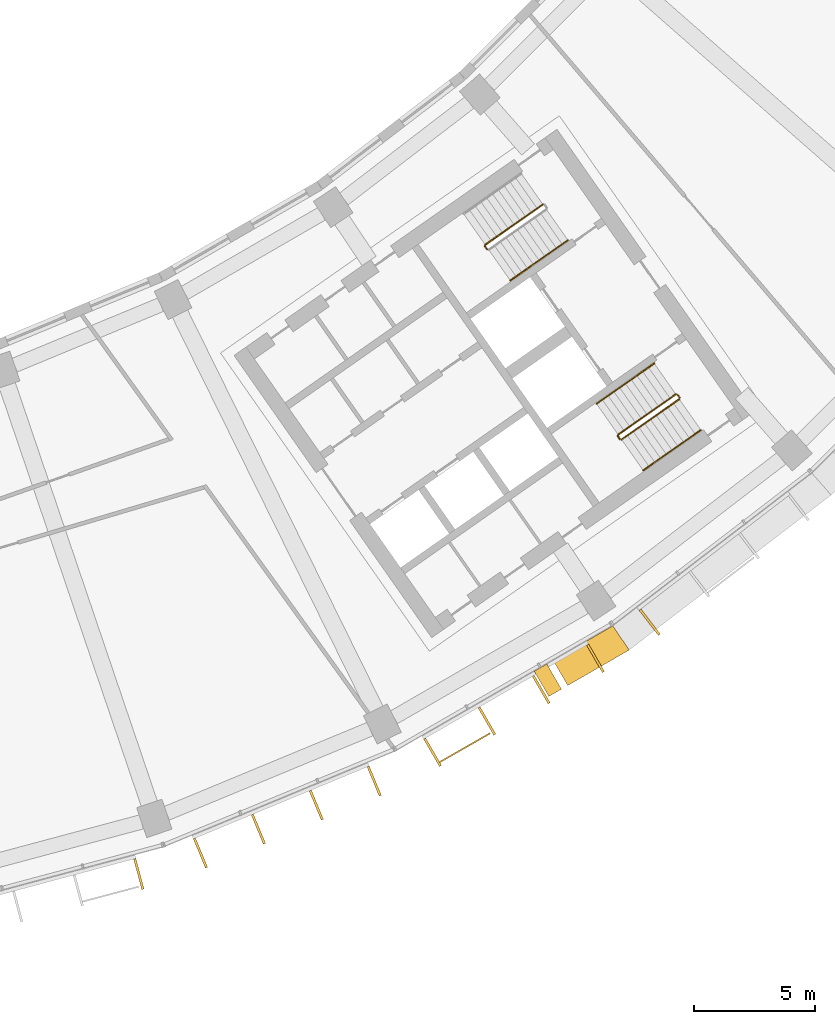
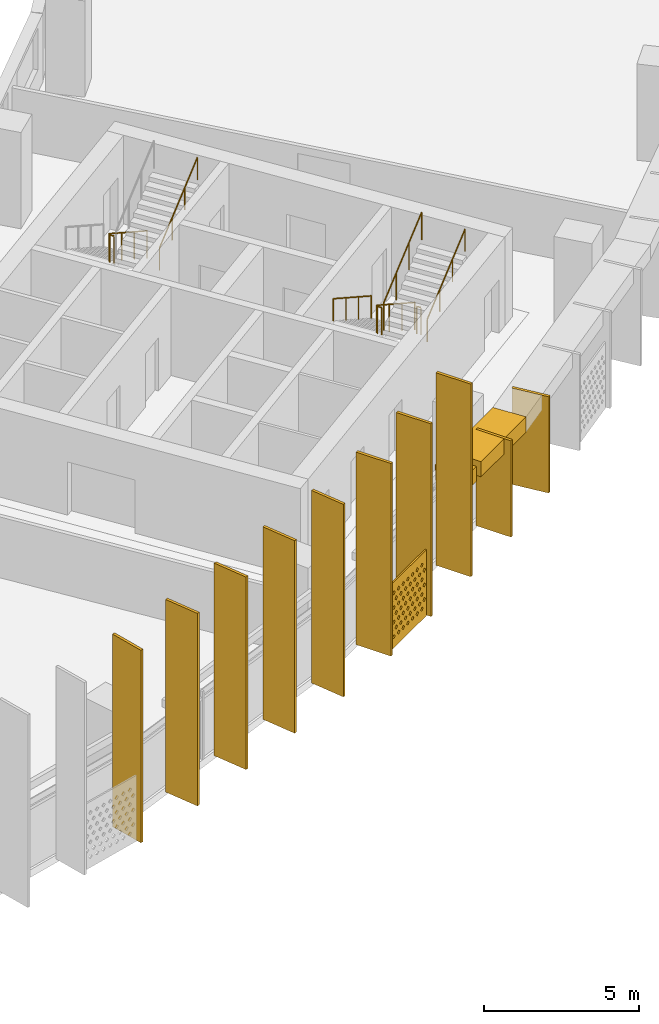
# One storey, part 25 of 27: 13 shading devices, 7 railings.
"""IFC4 building model written with IfcOpenShell, lengths in metres."""

from ifc_helpers import new_model, si_unit, direction, frame, origin, origin_2d, place, context, subcontext, project, spatial, polyline, rectangle, circle, outline, extrude, material, material_profile, profile_set, type_object, element, save


model = new_model("IFC4")

# Units and contexts
model_context = context("Model", 3, precision=1e-05, world=origin(), true_north=direction((0.0, 1.0)))
body_context = subcontext(model_context, "Body", "Model", "MODEL_VIEW")
ifc_project = project(units=[si_unit("LENGTHUNIT", "METRE"), si_unit("AREAUNIT", "SQUARE_METRE"), si_unit("VOLUMEUNIT", "CUBIC_METRE"), si_unit("PLANEANGLEUNIT", "RADIAN"), si_unit("MASSUNIT", "GRAM", prefix="KILO")], contexts=[model_context])

# Site, building, storey
site_placement = place(None, origin())
site = spatial("IfcSite", under=ifc_project, at=site_placement, CompositionType="ELEMENT")
building_placement = place(site_placement, origin())
building = spatial("IfcBuilding", under=site, at=building_placement, Name="Qamariyya Broadcast Tower", CompositionType="ELEMENT")
storey_placement = place(building_placement, frame((0.0, 0.0, 172.10009765625)))
storey = spatial("IfcBuildingStorey", under=building, at=storey_placement, Name="L40", CompositionType="ELEMENT", Elevation=172.10009765625)

# Shading devices
ifc_material_1 = material(Name="Steel S355 powder coated deep red", Category="steel")
shading_device_type_1 = type_object("IfcShadingDeviceType", Name="Deep red frame, powder coated steel box section", PredefinedType="USERDEFINED", material=ifc_material_1)
shading_device_1_placement = place(storey_placement, frame((0.0, 0.0, 3.199951171875)))
element("IfcShadingDevice", 1, at=shading_device_1_placement, inside=storey, type_object=shading_device_type_1, Name="e-frm-B3-F5-posta-L40", ObjectType="FRAME", PredefinedType="USERDEFINED", context=body_context, shape_type="SweptSolid", body=[
    extrude(outline(polyline([(40.647216796875, -67.558349609375), (41.2470703125, -68.59765625), (41.766845703125, -68.297607421875), (41.166748046875, -67.25830078125), (40.647216796875, -67.558349609375)])), origin(), (0.0, 0.0, 1.0), 0.599853515625),
])
shading_device_2_placement = place(storey_placement, frame((0.0, 0.0, 3.199951171875)))
element("IfcShadingDevice", 2, at=shading_device_2_placement, inside=storey, type_object=shading_device_type_1, Name="e-frm-B3-F5-bot0", ObjectType="FRAME", PredefinedType="USERDEFINED", context=body_context, shape_type="SweptSolid", body=[
    extrude(outline(polyline([(41.426513671875, -67.1083984375), (42.026611328125, -68.147705078125), (44.55810546875, -66.68603515625), (43.89013671875, -65.68603515625), (41.426513671875, -67.1083984375)])), origin(), (0.0, 0.0, 1.0), 0.599853515625),
])
ifc_material_2 = material(Name="Perforated glazed terracotta", Category="masonry")
ifc_material_profile_1 = material_profile(ifc_material_2, outline(polyline([(-1.199951171875, -1.300048828125), (1.199951171875, -1.300048828125), (1.199951171875, 1.300048828125), (-1.199951171875, 1.300048828125), (-1.199951171875, -1.300048828125)]), holes=[polyline([(-0.81494140625, -0.86669921875), (-0.89990234375, -0.78173828125), (-0.985107421875, -0.86669921875), (-0.89990234375, -0.95166015625), (-0.81494140625, -0.86669921875)]), polyline([(-0.514892578125, -0.86669921875), (-0.60009765625, -0.78173828125), (-0.68505859375, -0.86669921875), (-0.60009765625, -0.95166015625), (-0.514892578125, -0.86669921875)]), polyline([(-0.215087890625, -0.86669921875), (-0.300048828125, -0.78173828125), (-0.385009765625, -0.86669921875), (-0.300048828125, -0.95166015625), (-0.215087890625, -0.86669921875)]), polyline([(0.0849609375, -0.86669921875), (0.0, -0.78173828125), (-0.0849609375, -0.86669921875), (0.0, -0.95166015625), (0.0849609375, -0.86669921875)]), polyline([(0.385009765625, -0.86669921875), (0.300048828125, -0.78173828125), (0.215087890625, -0.86669921875), (0.300048828125, -0.95166015625), (0.385009765625, -0.86669921875)]), polyline([(0.68505859375, -0.86669921875), (0.60009765625, -0.78173828125), (0.514892578125, -0.86669921875), (0.60009765625, -0.95166015625), (0.68505859375, -0.86669921875)]), polyline([(0.985107421875, -0.86669921875), (0.89990234375, -0.78173828125), (0.81494140625, -0.86669921875), (0.89990234375, -0.95166015625), (0.985107421875, -0.86669921875)]), polyline([(-0.965087890625, -0.577880859375), (-1.050048828125, -0.49267578125), (-1.135009765625, -0.577880859375), (-1.050048828125, -0.662841796875), (-0.965087890625, -0.577880859375)]), polyline([(-0.6650390625, -0.577880859375), (-0.75, -0.49267578125), (-0.8349609375, -0.577880859375), (-0.75, -0.662841796875), (-0.6650390625, -0.577880859375)]), polyline([(-0.364990234375, -0.577880859375), (-0.449951171875, -0.49267578125), (-0.534912109375, -0.577880859375), (-0.449951171875, -0.662841796875), (-0.364990234375, -0.577880859375)]), polyline([(-0.06494140625, -0.577880859375), (-0.14990234375, -0.49267578125), (-0.235107421875, -0.577880859375), (-0.14990234375, -0.662841796875), (-0.06494140625, -0.577880859375)]), polyline([(0.235107421875, -0.577880859375), (0.14990234375, -0.49267578125), (0.06494140625, -0.577880859375), (0.14990234375, -0.662841796875), (0.235107421875, -0.577880859375)]), polyline([(0.534912109375, -0.577880859375), (0.449951171875, -0.49267578125), (0.364990234375, -0.577880859375), (0.449951171875, -0.662841796875), (0.534912109375, -0.577880859375)]), polyline([(0.8349609375, -0.577880859375), (0.75, -0.49267578125), (0.6650390625, -0.577880859375), (0.75, -0.662841796875), (0.8349609375, -0.577880859375)]), polyline([(1.135009765625, -0.577880859375), (1.050048828125, -0.49267578125), (0.965087890625, -0.577880859375), (1.050048828125, -0.662841796875), (1.135009765625, -0.577880859375)]), polyline([(-0.81494140625, -0.288818359375), (-0.89990234375, -0.203857421875), (-0.985107421875, -0.288818359375), (-0.89990234375, -0.373779296875), (-0.81494140625, -0.288818359375)]), polyline([(-0.514892578125, -0.288818359375), (-0.60009765625, -0.203857421875), (-0.68505859375, -0.288818359375), (-0.60009765625, -0.373779296875), (-0.514892578125, -0.288818359375)]), polyline([(-0.215087890625, -0.288818359375), (-0.300048828125, -0.203857421875), (-0.385009765625, -0.288818359375), (-0.300048828125, -0.373779296875), (-0.215087890625, -0.288818359375)]), polyline([(0.0849609375, -0.288818359375), (0.0, -0.203857421875), (-0.0849609375, -0.288818359375), (0.0, -0.373779296875), (0.0849609375, -0.288818359375)]), polyline([(0.385009765625, -0.288818359375), (0.300048828125, -0.203857421875), (0.215087890625, -0.288818359375), (0.300048828125, -0.373779296875), (0.385009765625, -0.288818359375)]), polyline([(0.68505859375, -0.288818359375), (0.60009765625, -0.203857421875), (0.514892578125, -0.288818359375), (0.60009765625, -0.373779296875), (0.68505859375, -0.288818359375)]), polyline([(0.985107421875, -0.288818359375), (0.89990234375, -0.203857421875), (0.81494140625, -0.288818359375), (0.89990234375, -0.373779296875), (0.985107421875, -0.288818359375)]), polyline([(-0.965087890625, 0.0), (-1.050048828125, 0.0849609375), (-1.135009765625, 0.0), (-1.050048828125, -0.0849609375), (-0.965087890625, 0.0)]), polyline([(-0.6650390625, 0.0), (-0.75, 0.0849609375), (-0.8349609375, 0.0), (-0.75, -0.0849609375), (-0.6650390625, 0.0)]), polyline([(-0.364990234375, 0.0), (-0.449951171875, 0.0849609375), (-0.534912109375, 0.0), (-0.449951171875, -0.0849609375), (-0.364990234375, 0.0)]), polyline([(-0.06494140625, 0.0), (-0.14990234375, 0.0849609375), (-0.235107421875, 0.0), (-0.14990234375, -0.0849609375), (-0.06494140625, 0.0)]), polyline([(0.235107421875, 0.0), (0.14990234375, 0.0849609375), (0.06494140625, 0.0), (0.14990234375, -0.0849609375), (0.235107421875, 0.0)]), polyline([(0.534912109375, 0.0), (0.449951171875, 0.0849609375), (0.364990234375, 0.0), (0.449951171875, -0.0849609375), (0.534912109375, 0.0)]), polyline([(0.8349609375, 0.0), (0.75, 0.0849609375), (0.6650390625, 0.0), (0.75, -0.0849609375), (0.8349609375, 0.0)]), polyline([(1.135009765625, 0.0), (1.050048828125, 0.0849609375), (0.965087890625, 0.0), (1.050048828125, -0.0849609375), (1.135009765625, 0.0)]), polyline([(-0.81494140625, 0.288818359375), (-0.89990234375, 0.373779296875), (-0.985107421875, 0.288818359375), (-0.89990234375, 0.203857421875), (-0.81494140625, 0.288818359375)]), polyline([(-0.514892578125, 0.288818359375), (-0.60009765625, 0.373779296875), (-0.68505859375, 0.288818359375), (-0.60009765625, 0.203857421875), (-0.514892578125, 0.288818359375)]), polyline([(-0.215087890625, 0.288818359375), (-0.300048828125, 0.373779296875), (-0.385009765625, 0.288818359375), (-0.300048828125, 0.203857421875), (-0.215087890625, 0.288818359375)]), polyline([(0.0849609375, 0.288818359375), (0.0, 0.373779296875), (-0.0849609375, 0.288818359375), (0.0, 0.203857421875), (0.0849609375, 0.288818359375)]), polyline([(0.385009765625, 0.288818359375), (0.300048828125, 0.373779296875), (0.215087890625, 0.288818359375), (0.300048828125, 0.203857421875), (0.385009765625, 0.288818359375)]), polyline([(0.68505859375, 0.288818359375), (0.60009765625, 0.373779296875), (0.514892578125, 0.288818359375), (0.60009765625, 0.203857421875), (0.68505859375, 0.288818359375)]), polyline([(0.985107421875, 0.288818359375), (0.89990234375, 0.373779296875), (0.81494140625, 0.288818359375), (0.89990234375, 0.203857421875), (0.985107421875, 0.288818359375)]), polyline([(-0.965087890625, 0.577880859375), (-1.050048828125, 0.662841796875), (-1.135009765625, 0.577880859375), (-1.050048828125, 0.49267578125), (-0.965087890625, 0.577880859375)]), polyline([(-0.6650390625, 0.577880859375), (-0.75, 0.662841796875), (-0.8349609375, 0.577880859375), (-0.75, 0.49267578125), (-0.6650390625, 0.577880859375)]), polyline([(-0.364990234375, 0.577880859375), (-0.449951171875, 0.662841796875), (-0.534912109375, 0.577880859375), (-0.449951171875, 0.49267578125), (-0.364990234375, 0.577880859375)]), polyline([(-0.06494140625, 0.577880859375), (-0.14990234375, 0.662841796875), (-0.235107421875, 0.577880859375), (-0.14990234375, 0.49267578125), (-0.06494140625, 0.577880859375)]), polyline([(0.235107421875, 0.577880859375), (0.14990234375, 0.662841796875), (0.06494140625, 0.577880859375), (0.14990234375, 0.49267578125), (0.235107421875, 0.577880859375)]), polyline([(0.534912109375, 0.577880859375), (0.449951171875, 0.662841796875), (0.364990234375, 0.577880859375), (0.449951171875, 0.49267578125), (0.534912109375, 0.577880859375)]), polyline([(0.8349609375, 0.577880859375), (0.75, 0.662841796875), (0.6650390625, 0.577880859375), (0.75, 0.49267578125), (0.8349609375, 0.577880859375)]), polyline([(1.135009765625, 0.577880859375), (1.050048828125, 0.662841796875), (0.965087890625, 0.577880859375), (1.050048828125, 0.49267578125), (1.135009765625, 0.577880859375)]), polyline([(-0.81494140625, 0.86669921875), (-0.89990234375, 0.95166015625), (-0.985107421875, 0.86669921875), (-0.89990234375, 0.78173828125), (-0.81494140625, 0.86669921875)]), polyline([(-0.514892578125, 0.86669921875), (-0.60009765625, 0.95166015625), (-0.68505859375, 0.86669921875), (-0.60009765625, 0.78173828125), (-0.514892578125, 0.86669921875)]), polyline([(-0.215087890625, 0.86669921875), (-0.300048828125, 0.95166015625), (-0.385009765625, 0.86669921875), (-0.300048828125, 0.78173828125), (-0.215087890625, 0.86669921875)]), polyline([(0.0849609375, 0.86669921875), (0.0, 0.95166015625), (-0.0849609375, 0.86669921875), (0.0, 0.78173828125), (0.0849609375, 0.86669921875)]), polyline([(0.385009765625, 0.86669921875), (0.300048828125, 0.95166015625), (0.215087890625, 0.86669921875), (0.300048828125, 0.78173828125), (0.385009765625, 0.86669921875)]), polyline([(0.68505859375, 0.86669921875), (0.60009765625, 0.95166015625), (0.514892578125, 0.86669921875), (0.60009765625, 0.78173828125), (0.68505859375, 0.86669921875)]), polyline([(0.985107421875, 0.86669921875), (0.89990234375, 0.95166015625), (0.81494140625, 0.86669921875), (0.89990234375, 0.78173828125), (0.985107421875, 0.86669921875)])]))
ifc_profile_set_1 = profile_set([ifc_material_profile_1], Name="Perforated glazed terracotta")
shading_device_type_2 = type_object("IfcShadingDeviceType", Name="Perforated terracotta screen 2400 x 2600", PredefinedType="USERDEFINED", material=ifc_profile_set_1)
shading_device_3_placement = place(storey_placement, frame((37.777099609375, -70.681884765625, 1.349853515625), z_axis=(0.497016140981, -0.86774129532, 0.0), x_axis=(0.86774129532, 0.497016140981, 0.0)))
element("IfcShadingDevice", 3, at=shading_device_3_placement, inside=storey, type_object=shading_device_type_2, Name="e-scr-L40-11-0", ObjectType="SCREEN", PredefinedType="USERDEFINED", context=body_context, shape_type="SweptSolid", body=[
    extrude(outline(polyline([(-1.199951171875, -1.300048828125), (1.199951171875, -1.300048828125), (1.199951171875, 1.300048828125), (-1.199951171875, 1.300048828125), (-1.199951171875, -1.300048828125)]), holes=[polyline([(-0.81494140625, -0.86669921875), (-0.89990234375, -0.78173828125), (-0.985107421875, -0.86669921875), (-0.89990234375, -0.95166015625), (-0.81494140625, -0.86669921875)]), polyline([(-0.514892578125, -0.86669921875), (-0.60009765625, -0.78173828125), (-0.68505859375, -0.86669921875), (-0.60009765625, -0.95166015625), (-0.514892578125, -0.86669921875)]), polyline([(-0.215087890625, -0.86669921875), (-0.300048828125, -0.78173828125), (-0.385009765625, -0.86669921875), (-0.300048828125, -0.95166015625), (-0.215087890625, -0.86669921875)]), polyline([(0.0849609375, -0.86669921875), (0.0, -0.78173828125), (-0.0849609375, -0.86669921875), (0.0, -0.95166015625), (0.0849609375, -0.86669921875)]), polyline([(0.385009765625, -0.86669921875), (0.300048828125, -0.78173828125), (0.215087890625, -0.86669921875), (0.300048828125, -0.95166015625), (0.385009765625, -0.86669921875)]), polyline([(0.68505859375, -0.86669921875), (0.60009765625, -0.78173828125), (0.514892578125, -0.86669921875), (0.60009765625, -0.95166015625), (0.68505859375, -0.86669921875)]), polyline([(0.985107421875, -0.86669921875), (0.89990234375, -0.78173828125), (0.81494140625, -0.86669921875), (0.89990234375, -0.95166015625), (0.985107421875, -0.86669921875)]), polyline([(-0.965087890625, -0.577880859375), (-1.050048828125, -0.49267578125), (-1.135009765625, -0.577880859375), (-1.050048828125, -0.662841796875), (-0.965087890625, -0.577880859375)]), polyline([(-0.6650390625, -0.577880859375), (-0.75, -0.49267578125), (-0.8349609375, -0.577880859375), (-0.75, -0.662841796875), (-0.6650390625, -0.577880859375)]), polyline([(-0.364990234375, -0.577880859375), (-0.449951171875, -0.49267578125), (-0.534912109375, -0.577880859375), (-0.449951171875, -0.662841796875), (-0.364990234375, -0.577880859375)]), polyline([(-0.06494140625, -0.577880859375), (-0.14990234375, -0.49267578125), (-0.235107421875, -0.577880859375), (-0.14990234375, -0.662841796875), (-0.06494140625, -0.577880859375)]), polyline([(0.235107421875, -0.577880859375), (0.14990234375, -0.49267578125), (0.06494140625, -0.577880859375), (0.14990234375, -0.662841796875), (0.235107421875, -0.577880859375)]), polyline([(0.534912109375, -0.577880859375), (0.449951171875, -0.49267578125), (0.364990234375, -0.577880859375), (0.449951171875, -0.662841796875), (0.534912109375, -0.577880859375)]), polyline([(0.8349609375, -0.577880859375), (0.75, -0.49267578125), (0.6650390625, -0.577880859375), (0.75, -0.662841796875), (0.8349609375, -0.577880859375)]), polyline([(1.135009765625, -0.577880859375), (1.050048828125, -0.49267578125), (0.965087890625, -0.577880859375), (1.050048828125, -0.662841796875), (1.135009765625, -0.577880859375)]), polyline([(-0.81494140625, -0.288818359375), (-0.89990234375, -0.203857421875), (-0.985107421875, -0.288818359375), (-0.89990234375, -0.373779296875), (-0.81494140625, -0.288818359375)]), polyline([(-0.514892578125, -0.288818359375), (-0.60009765625, -0.203857421875), (-0.68505859375, -0.288818359375), (-0.60009765625, -0.373779296875), (-0.514892578125, -0.288818359375)]), polyline([(-0.215087890625, -0.288818359375), (-0.300048828125, -0.203857421875), (-0.385009765625, -0.288818359375), (-0.300048828125, -0.373779296875), (-0.215087890625, -0.288818359375)]), polyline([(0.0849609375, -0.288818359375), (0.0, -0.203857421875), (-0.0849609375, -0.288818359375), (0.0, -0.373779296875), (0.0849609375, -0.288818359375)]), polyline([(0.385009765625, -0.288818359375), (0.300048828125, -0.203857421875), (0.215087890625, -0.288818359375), (0.300048828125, -0.373779296875), (0.385009765625, -0.288818359375)]), polyline([(0.68505859375, -0.288818359375), (0.60009765625, -0.203857421875), (0.514892578125, -0.288818359375), (0.60009765625, -0.373779296875), (0.68505859375, -0.288818359375)]), polyline([(0.985107421875, -0.288818359375), (0.89990234375, -0.203857421875), (0.81494140625, -0.288818359375), (0.89990234375, -0.373779296875), (0.985107421875, -0.288818359375)]), polyline([(-0.965087890625, 0.0), (-1.050048828125, 0.0849609375), (-1.135009765625, 0.0), (-1.050048828125, -0.0849609375), (-0.965087890625, 0.0)]), polyline([(-0.6650390625, 0.0), (-0.75, 0.0849609375), (-0.8349609375, 0.0), (-0.75, -0.0849609375), (-0.6650390625, 0.0)]), polyline([(-0.364990234375, 0.0), (-0.449951171875, 0.0849609375), (-0.534912109375, 0.0), (-0.449951171875, -0.0849609375), (-0.364990234375, 0.0)]), polyline([(-0.06494140625, 0.0), (-0.14990234375, 0.0849609375), (-0.235107421875, 0.0), (-0.14990234375, -0.0849609375), (-0.06494140625, 0.0)]), polyline([(0.235107421875, 0.0), (0.14990234375, 0.0849609375), (0.06494140625, 0.0), (0.14990234375, -0.0849609375), (0.235107421875, 0.0)]), polyline([(0.534912109375, 0.0), (0.449951171875, 0.0849609375), (0.364990234375, 0.0), (0.449951171875, -0.0849609375), (0.534912109375, 0.0)]), polyline([(0.8349609375, 0.0), (0.75, 0.0849609375), (0.6650390625, 0.0), (0.75, -0.0849609375), (0.8349609375, 0.0)]), polyline([(1.135009765625, 0.0), (1.050048828125, 0.0849609375), (0.965087890625, 0.0), (1.050048828125, -0.0849609375), (1.135009765625, 0.0)]), polyline([(-0.81494140625, 0.288818359375), (-0.89990234375, 0.373779296875), (-0.985107421875, 0.288818359375), (-0.89990234375, 0.203857421875), (-0.81494140625, 0.288818359375)]), polyline([(-0.514892578125, 0.288818359375), (-0.60009765625, 0.373779296875), (-0.68505859375, 0.288818359375), (-0.60009765625, 0.203857421875), (-0.514892578125, 0.288818359375)]), polyline([(-0.215087890625, 0.288818359375), (-0.300048828125, 0.373779296875), (-0.385009765625, 0.288818359375), (-0.300048828125, 0.203857421875), (-0.215087890625, 0.288818359375)]), polyline([(0.0849609375, 0.288818359375), (0.0, 0.373779296875), (-0.0849609375, 0.288818359375), (0.0, 0.203857421875), (0.0849609375, 0.288818359375)]), polyline([(0.385009765625, 0.288818359375), (0.300048828125, 0.373779296875), (0.215087890625, 0.288818359375), (0.300048828125, 0.203857421875), (0.385009765625, 0.288818359375)]), polyline([(0.68505859375, 0.288818359375), (0.60009765625, 0.373779296875), (0.514892578125, 0.288818359375), (0.60009765625, 0.203857421875), (0.68505859375, 0.288818359375)]), polyline([(0.985107421875, 0.288818359375), (0.89990234375, 0.373779296875), (0.81494140625, 0.288818359375), (0.89990234375, 0.203857421875), (0.985107421875, 0.288818359375)]), polyline([(-0.965087890625, 0.577880859375), (-1.050048828125, 0.662841796875), (-1.135009765625, 0.577880859375), (-1.050048828125, 0.49267578125), (-0.965087890625, 0.577880859375)]), polyline([(-0.6650390625, 0.577880859375), (-0.75, 0.662841796875), (-0.8349609375, 0.577880859375), (-0.75, 0.49267578125), (-0.6650390625, 0.577880859375)]), polyline([(-0.364990234375, 0.577880859375), (-0.449951171875, 0.662841796875), (-0.534912109375, 0.577880859375), (-0.449951171875, 0.49267578125), (-0.364990234375, 0.577880859375)]), polyline([(-0.06494140625, 0.577880859375), (-0.14990234375, 0.662841796875), (-0.235107421875, 0.577880859375), (-0.14990234375, 0.49267578125), (-0.06494140625, 0.577880859375)]), polyline([(0.235107421875, 0.577880859375), (0.14990234375, 0.662841796875), (0.06494140625, 0.577880859375), (0.14990234375, 0.49267578125), (0.235107421875, 0.577880859375)]), polyline([(0.534912109375, 0.577880859375), (0.449951171875, 0.662841796875), (0.364990234375, 0.577880859375), (0.449951171875, 0.49267578125), (0.534912109375, 0.577880859375)]), polyline([(0.8349609375, 0.577880859375), (0.75, 0.662841796875), (0.6650390625, 0.577880859375), (0.75, 0.49267578125), (0.8349609375, 0.577880859375)]), polyline([(1.135009765625, 0.577880859375), (1.050048828125, 0.662841796875), (0.965087890625, 0.577880859375), (1.050048828125, 0.49267578125), (1.135009765625, 0.577880859375)]), polyline([(-0.81494140625, 0.86669921875), (-0.89990234375, 0.95166015625), (-0.985107421875, 0.86669921875), (-0.89990234375, 0.78173828125), (-0.81494140625, 0.86669921875)]), polyline([(-0.514892578125, 0.86669921875), (-0.60009765625, 0.95166015625), (-0.68505859375, 0.86669921875), (-0.60009765625, 0.78173828125), (-0.514892578125, 0.86669921875)]), polyline([(-0.215087890625, 0.86669921875), (-0.300048828125, 0.95166015625), (-0.385009765625, 0.86669921875), (-0.300048828125, 0.78173828125), (-0.215087890625, 0.86669921875)]), polyline([(0.0849609375, 0.86669921875), (0.0, 0.95166015625), (-0.0849609375, 0.86669921875), (0.0, 0.78173828125), (0.0849609375, 0.86669921875)]), polyline([(0.385009765625, 0.86669921875), (0.300048828125, 0.95166015625), (0.215087890625, 0.86669921875), (0.300048828125, 0.78173828125), (0.385009765625, 0.86669921875)]), polyline([(0.68505859375, 0.86669921875), (0.60009765625, 0.95166015625), (0.514892578125, 0.86669921875), (0.60009765625, 0.78173828125), (0.68505859375, 0.86669921875)]), polyline([(0.985107421875, 0.86669921875), (0.89990234375, 0.95166015625), (0.81494140625, 0.86669921875), (0.89990234375, 0.78173828125), (0.985107421875, 0.86669921875)])]), origin(), (0.0, 0.0, 1.0), 0.059814453125),
])

# Railings
ifc_material_3 = material(Name="Painted steel", Category="steel")
railing_type_1 = type_object("IfcRailingType", Name="Stair guard", PredefinedType="GUARDRAIL", material=ifc_material_3)
railing_1_placement = place(storey_placement, frame((41.003173828125, -48.320068359375, 0.172607421875)))
element("IfcRailing", 4, at=railing_1_placement, inside=storey, type_object=railing_type_1, Name="L40 ST-E2 stair guard 1", PredefinedType="GUARDRAIL", context=body_context, shape_type="SweptSolid", body=[
    extrude(circle(Radius=0.02392578125, at=origin_2d()), frame((0.0, 0.0, 1.076171875), z_axis=(-0.703770094002, -0.492783725636, 0.511734163933), x_axis=(0.573575343427, -0.819152809562, 0.0)), (0.0, 0.0, 1.0), 3.37548828125),
    extrude(circle(Radius=0.02392578125, at=origin_2d()), frame((-2.37548828125, -1.663330078125, 2.80322265625), z_axis=(-0.172799478008, -0.984957024646, 0.0), x_axis=(0.984957024646, -0.172799478008, 0.0)), (0.0, 0.0, 1.0), 0.070556640625),
    extrude(circle(Radius=0.02392578125, at=origin_2d()), frame((-2.3876953125, -1.73291015625, 2.80322265625), z_axis=(0.572588637393, -0.819842821722, 0.0), x_axis=(0.819842821722, 0.572588637393, 0.0)), (0.0, 0.0, 1.0), 0.150146484375),
    extrude(circle(Radius=0.02099609375, at=origin_2d()), origin(), (0.0, 0.0, 1.0), 1.052001953125),
    extrude(circle(Radius=0.02099609375, at=origin_2d()), frame((-0.791748046875, -0.554443359375, 0.57568359375)), (0.0, 0.0, 1.0), 1.052001953125),
    extrude(circle(Radius=0.02099609375, at=origin_2d()), frame((-1.583740234375, -1.10888671875, 1.151611328125)), (0.0, 0.0, 1.0), 1.052001953125),
    extrude(circle(Radius=0.02099609375, at=origin_2d()), frame((-2.37548828125, -1.663330078125, 1.727294921875)), (0.0, 0.0, 1.0), 1.052001953125),
    extrude(circle(Radius=0.02099609375, at=origin_2d()), frame((-2.3876953125, -1.73291015625, 1.727294921875)), (0.0, 0.0, 1.0), 1.052001953125),
    extrude(circle(Radius=0.02099609375, at=origin_2d()), frame((-2.3017578125, -1.85595703125, 1.727294921875)), (0.0, 0.0, 1.0), 1.052001953125),
])
railing_2_placement = place(storey_placement, frame((46.48095703125, -56.14306640625, 0.172607421875)))
element("IfcRailing", 5, at=railing_2_placement, inside=storey, type_object=railing_type_1, Name="L40 ST-E1 stair guard 1", PredefinedType="GUARDRAIL", context=body_context, shape_type="SweptSolid", body=[
    extrude(circle(Radius=0.02392578125, at=origin_2d()), frame((0.0, 0.0, 1.076171875), z_axis=(-0.703770094002, -0.492783725636, 0.511734163933), x_axis=(0.573575343427, -0.819152809562, 0.0)), (0.0, 0.0, 1.0), 3.37548828125),
    extrude(circle(Radius=0.02392578125, at=origin_2d()), frame((-2.37548828125, -1.663330078125, 2.80322265625), z_axis=(-0.176149252506, -0.984363469884, 0.0), x_axis=(0.984363469884, -0.176149252506, 0.0)), (0.0, 0.0, 1.0), 0.07080078125),
    extrude(circle(Radius=0.02392578125, at=origin_2d()), frame((-2.387939453125, -1.73291015625, 2.80322265625), z_axis=(0.574444878118, -0.818543268254, 0.0), x_axis=(0.818543268254, 0.574444878118, 0.0)), (0.0, 0.0, 1.0), 0.150146484375),
    extrude(circle(Radius=0.02099609375, at=origin_2d()), origin(), (0.0, 0.0, 1.0), 1.052001953125),
    extrude(circle(Radius=0.02099609375, at=origin_2d()), frame((-0.791748046875, -0.554443359375, 0.57568359375)), (0.0, 0.0, 1.0), 1.052001953125),
    extrude(circle(Radius=0.02099609375, at=origin_2d()), frame((-1.583740234375, -1.10888671875, 1.151611328125)), (0.0, 0.0, 1.0), 1.052001953125),
    extrude(circle(Radius=0.02099609375, at=origin_2d()), frame((-2.37548828125, -1.663330078125, 1.727294921875)), (0.0, 0.0, 1.0), 1.052001953125),
    extrude(circle(Radius=0.02099609375, at=origin_2d()), frame((-2.387939453125, -1.73291015625, 1.727294921875)), (0.0, 0.0, 1.0), 1.052001953125),
    extrude(circle(Radius=0.02099609375, at=origin_2d()), frame((-2.3017578125, -1.855712890625, 1.727294921875)), (0.0, 0.0, 1.0), 1.052001953125),
])
railing_3_placement = place(storey_placement, frame((44.248779296875, -58.01123046875, 2.072509765625)))
element("IfcRailing", 6, at=railing_3_placement, inside=storey, type_object=railing_type_1, Name="L40 ST-E1 stair guard 2", PredefinedType="GUARDRAIL", context=body_context, shape_type="SweptSolid", body=[
    extrude(circle(Radius=0.02392578125, at=origin_2d()), frame((0.0, 0.0, 1.076171875), z_axis=(0.703745009021, 0.492838488332, 0.511715923826), x_axis=(-0.573631830683, 0.819113253969, 0.0)), (0.0, 0.0, 1.0), 3.37548828125),
    extrude(circle(Radius=0.02099609375, at=origin_2d()), origin(), (0.0, 0.0, 1.0), 1.052001953125),
    extrude(circle(Radius=0.02099609375, at=origin_2d()), frame((0.791748046875, 0.554443359375, 0.57568359375)), (0.0, 0.0, 1.0), 1.052001953125),
    extrude(circle(Radius=0.02099609375, at=origin_2d()), frame((1.583740234375, 1.109130859375, 1.151611328125)), (0.0, 0.0, 1.0), 1.052001953125),
    extrude(circle(Radius=0.02099609375, at=origin_2d()), frame((2.37548828125, 1.66357421875, 1.727294921875)), (0.0, 0.0, 1.0), 1.052001953125),
])
railing_4_placement = place(storey_placement, frame((46.550537109375, -56.1552734375, 0.0)))
element("IfcRailing", 7, at=railing_4_placement, inside=storey, type_object=railing_type_1, Name="L40 ST-E1 stair guard 3", PredefinedType="GUARDRAIL", context=body_context, shape_type="SweptSolid", body=[
    extrude(circle(Radius=0.02392578125, at=origin_2d()), frame((0.0, 0.0, 1.076171875), z_axis=(0.574444878118, -0.818543268254, 0.0), x_axis=(0.818543268254, 0.574444878118, 0.0)), (0.0, 0.0, 1.0), 0.150146484375),
    extrude(circle(Radius=0.02099609375, at=origin_2d()), origin(), (0.0, 0.0, 1.0), 1.052001953125),
    extrude(circle(Radius=0.02099609375, at=origin_2d()), frame((0.086181640625, -0.122802734375, 0.0)), (0.0, 0.0, 1.0), 1.052001953125),
])
ifc_material_4 = material(Name="Stainless steel", Category="steel")
railing_type_2 = type_object("IfcRailingType", Name="Stair handrail", PredefinedType="HANDRAIL", material=ifc_material_4)
railing_5_placement = place(storey_placement, frame((39.66015625, -51.4580078125, 2.072509765625)))
element("IfcRailing", 8, at=railing_5_placement, inside=storey, type_object=railing_type_2, Name="L40 ST-E2 stair handrail 2", PredefinedType="HANDRAIL", context=body_context, shape_type="SweptSolid", body=[
    extrude(circle(Radius=0.02392578125, at=origin_2d()), frame((0.0, 0.0, 0.8759765625), z_axis=(0.703745009021, 0.492838488332, 0.511715923826), x_axis=(-0.573631830683, 0.819113253969, 0.0)), (0.0, 0.0, 1.0), 3.37548828125),
    extrude(circle(Radius=0.02099609375, at=origin_2d()), origin(), (0.0, 0.0, 1.0), 0.851806640625),
    extrude(circle(Radius=0.02099609375, at=origin_2d()), frame((0.791748046875, 0.554443359375, 0.57568359375)), (0.0, 0.0, 1.0), 0.851806640625),
    extrude(circle(Radius=0.02099609375, at=origin_2d()), frame((1.583740234375, 1.109130859375, 1.151611328125)), (0.0, 0.0, 1.0), 0.851806640625),
    extrude(circle(Radius=0.02099609375, at=origin_2d()), frame((2.37548828125, 1.66357421875, 1.727294921875)), (0.0, 0.0, 1.0), 0.851806640625),
])
railing_6_placement = place(storey_placement, frame((45.591796875, -54.873291015625, 0.172607421875)))
element("IfcRailing", 9, at=railing_6_placement, inside=storey, type_object=railing_type_2, Name="L40 ST-E1 stair handrail 1", PredefinedType="HANDRAIL", context=body_context, shape_type="SweptSolid", body=[
    extrude(circle(Radius=0.02392578125, at=origin_2d()), frame((0.0, 0.0, 0.8759765625), z_axis=(-0.703770094002, -0.492783725636, 0.511734163933), x_axis=(0.573575343427, -0.819152809562, 0.0)), (0.0, 0.0, 1.0), 3.37548828125),
    extrude(circle(Radius=0.02099609375, at=origin_2d()), origin(), (0.0, 0.0, 1.0), 0.851806640625),
    extrude(circle(Radius=0.02099609375, at=origin_2d()), frame((-0.791748046875, -0.554443359375, 0.57568359375)), (0.0, 0.0, 1.0), 0.851806640625),
    extrude(circle(Radius=0.02099609375, at=origin_2d()), frame((-1.583740234375, -1.10888671875, 1.151611328125)), (0.0, 0.0, 1.0), 0.851806640625),
    extrude(circle(Radius=0.02099609375, at=origin_2d()), frame((-2.37548828125, -1.663330078125, 1.727294921875)), (0.0, 0.0, 1.0), 0.851806640625),
])
railing_7_placement = place(storey_placement, frame((45.137939453125, -59.28076171875, 2.072509765625)))
element("IfcRailing", 10, at=railing_7_placement, inside=storey, type_object=railing_type_2, Name="L40 ST-E1 stair handrail 2", PredefinedType="HANDRAIL", context=body_context, shape_type="SweptSolid", body=[
    extrude(circle(Radius=0.02392578125, at=origin_2d()), frame((0.0, 0.0, 0.8759765625), z_axis=(0.703770094002, 0.492783725636, 0.511734163933), x_axis=(-0.573575343427, 0.819152809562, 0.0)), (0.0, 0.0, 1.0), 3.37548828125),
    extrude(circle(Radius=0.02099609375, at=origin_2d()), origin(), (0.0, 0.0, 1.0), 0.851806640625),
    extrude(circle(Radius=0.02099609375, at=origin_2d()), frame((0.791748046875, 0.554443359375, 0.57568359375)), (0.0, 0.0, 1.0), 0.851806640625),
    extrude(circle(Radius=0.02099609375, at=origin_2d()), frame((1.583740234375, 1.10888671875, 1.151611328125)), (0.0, 0.0, 1.0), 0.851806640625),
    extrude(circle(Radius=0.02099609375, at=origin_2d()), frame((2.37548828125, 1.663330078125, 1.727294921875)), (0.0, 0.0, 1.0), 0.851806640625),
])

# Shading devices
ifc_material_5 = material(Name="Glazed terracotta", Category="masonry")
ifc_material_profile_2 = material_profile(ifc_material_5, rectangle(XDim=1.300048828125, YDim=0.10009765625, at=origin_2d()))
ifc_profile_set_2 = profile_set([ifc_material_profile_2], Name="Glazed terracotta")
shading_device_type_3 = type_object("IfcShadingDeviceType", Name="Terracotta fin 100 x 1300", PredefinedType="USERDEFINED", material=ifc_profile_set_2)
for number, where, z_axis, x_axis, name in (
    (11, (24.35302734375, -75.91455078125, 0.0), (0.0, 0.0, 1.0), (0.258819045103, -0.965925826289, 0.0), "e-fin-L40-09-3"),
    (12, (26.893310546875, -75.05224609375, 0.0), (0.0, 0.0, 1.0), (0.382683432365, -0.923879532511, 0.0), "e-fin-L40-10-0"),
    (13, (29.280029296875, -74.063720703125, 0.0), (0.0, 0.0, 1.0), (0.382683432365, -0.923879532511, 0.0), "e-fin-L40-10-1"),
    (14, (31.666748046875, -73.074951171875, 0.0), (0.0, 0.0, 1.0), (0.382683432365, -0.923879532511, 0.0), "e-fin-L40-10-2"),
    (15, (34.053466796875, -72.08642578125, 0.0), (0.0, 0.0, 1.0), (0.382683432365, -0.923879532511, 0.0), "e-fin-L40-10-3"),
    (16, (36.45947265625, -70.89990234375, 0.0), (0.0, 0.0, 1.0), (0.5, -0.866025403784, 0.0), "e-fin-L40-11-0"),
    (17, (38.69677734375, -69.608154296875, 0.0), (0.0, 0.0, 1.0), (0.5, -0.866025403784, 0.0), "e-fin-L40-11-1"),
    (18, (40.93408203125, -68.31640625, 0.0), (0.0, 0.0, 1.0), (0.5, -0.866025403784, 0.0), "e-fin-L40-11-2"),
):
    element("IfcShadingDevice", number, at=place(storey_placement, frame(where, z_axis=z_axis, x_axis=x_axis)), inside=storey, type_object=shading_device_type_3, Name=name, ObjectType="FIN", PredefinedType="USERDEFINED", context=body_context, shape_type="SweptSolid", body=[
        extrude(rectangle(XDim=1.300048828125, YDim=0.10009765625, at=origin_2d()), origin(), (0.0, 0.0, 1.0), 7.599853515625),
    ])
for number, where, z_axis, x_axis, name in (
    (19, (43.17138671875, -67.024658203125, 0.0), (0.0, 0.0, 1.0), (0.5, -0.866025403784, 0.0), "e-fin-L40-11-3"),
    (20, (45.40185546875, -65.534423828125, 0.0), (0.0, 0.0, 1.0), (0.608761429009, -0.793353340291, 0.0), "e-fin-L40-12-0"),
):
    element("IfcShadingDevice", number, at=place(storey_placement, frame(where, z_axis=z_axis, x_axis=x_axis)), inside=storey, type_object=shading_device_type_3, Name=name, ObjectType="FIN", PredefinedType="USERDEFINED", context=body_context, shape_type="SweptSolid", body=[
        extrude(rectangle(XDim=1.300048828125, YDim=0.10009765625, at=origin_2d()), origin(), (0.0, 0.0, 1.0), 3.7998046875),
    ])

save(model, "model.ifc")
